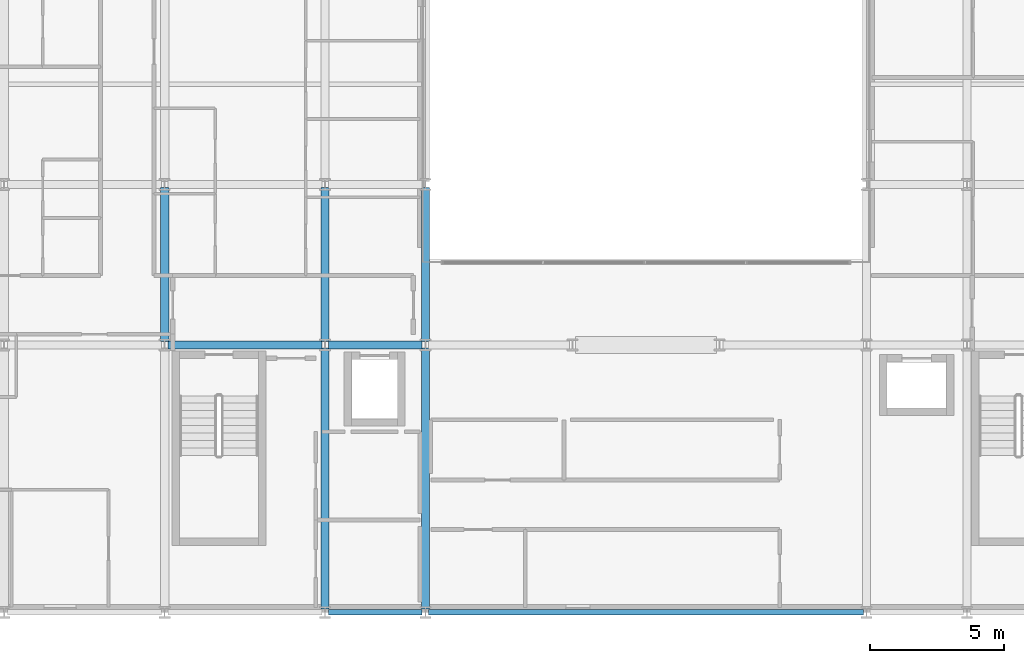
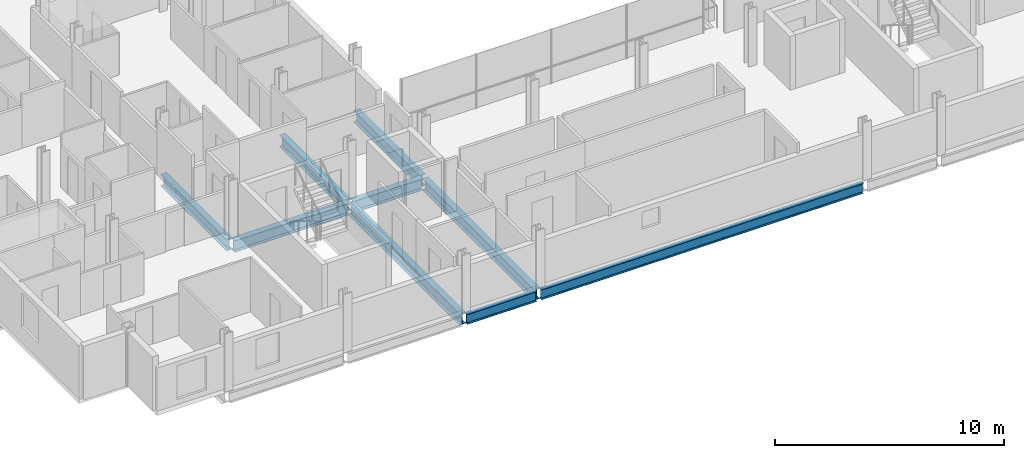
# One storey, part 3 of 38: 9 beams.
"""IFC4 building model written with IfcOpenShell, lengths in metres."""

from ifc_helpers import new_model, si_unit, direction, frame, origin, origin_2d, place, context, subcontext, project, spatial, i_section, extrude, material, material_profile, profile_set, type_object, element, save


model = new_model("IFC4")

# Units and contexts
model_context = context("Model", 3, precision=1e-05, world=origin(), true_north=direction((0.0, 1.0)))
body_context = subcontext(model_context, "Body", "Model", "MODEL_VIEW")
ifc_project = project(units=[si_unit("LENGTHUNIT", "METRE"), si_unit("AREAUNIT", "SQUARE_METRE"), si_unit("VOLUMEUNIT", "CUBIC_METRE"), si_unit("PLANEANGLEUNIT", "RADIAN"), si_unit("MASSUNIT", "GRAM", prefix="KILO")], contexts=[model_context])

# Site, building, storey
site_placement = place(None, origin())
site = spatial("IfcSite", under=ifc_project, at=site_placement, CompositionType="ELEMENT")
building_placement = place(site_placement, origin())
building = spatial("IfcBuilding", under=site, at=building_placement, Name="Brevholm Reach", CompositionType="ELEMENT")
storey_placement = place(building_placement, frame((0.0, 0.0, 65.199951171875)))
storey = spatial("IfcBuildingStorey", under=building, at=storey_placement, Name="L18", CompositionType="ELEMENT", Elevation=65.199951171875)

# Beams
ifc_material_1 = material(Name="Structural Steel S355J2", Category="steel")
ifc_material_profile_1 = material_profile(ifc_material_1, i_section(OverallWidth=0.210693359375, OverallDepth=0.53955078125, WebThickness=0.01171875, FlangeThickness=0.018798828125, FilletRadius=0.0126953125, at=origin_2d()), Name="UKB 533x210x109")
ifc_profile_set_1 = profile_set([ifc_material_profile_1], Name="Structural Steel S355J2")
beam_type_1 = type_object("IfcBeamType", Name="BM-SP539", PredefinedType="SPANDREL", material=ifc_profile_set_1)
beam_1_placement = place(storey_placement, frame((18.1201171875, 0.0, -0.499755859375), z_axis=(1.0, 0.0, 0.0), x_axis=(0.0, 1.0, 0.0)))
element("IfcBeam", 1, at=beam_1_placement, inside=storey, type_object=beam_type_1, Name="L18 SP-01B Framing Beam", PredefinedType="SPANDREL", context=body_context, shape_type="SweptSolid", body=[
    extrude(i_section(OverallWidth=0.210693359375, OverallDepth=0.53955078125, WebThickness=0.01171875, FlangeThickness=0.018798828125, FilletRadius=0.0126953125, at=origin_2d()), origin(), (0.0, 0.0, 1.0), 3.509765625),
])
beam_2_placement = place(storey_placement, frame((21.8701171875, 0.0, -0.499755859375), z_axis=(1.0, 0.0, 0.0), x_axis=(0.0, 1.0, 0.0)))
element("IfcBeam", 2, at=beam_2_placement, inside=storey, type_object=beam_type_1, Name="L18 SP-01B Framing Beam", PredefinedType="SPANDREL", context=body_context, shape_type="SweptSolid", body=[
    extrude(i_section(OverallWidth=0.210693359375, OverallDepth=0.53955078125, WebThickness=0.01171875, FlangeThickness=0.018798828125, FilletRadius=0.0126953125, at=origin_2d()), origin(), (0.0, 0.0, 1.0), 16.259765625),
])
ifc_material_2 = material(Name="Structural Steel S355J2", Category="steel")
ifc_material_profile_2 = material_profile(ifc_material_2, i_section(OverallWidth=0.30712890625, OverallDepth=0.6201171875, WebThickness=0.01416015625, FlangeThickness=0.023681640625, FilletRadius=0.0166015625, at=origin_2d()), Name="UKB 610x305x179")
ifc_profile_set_2 = profile_set([ifc_material_profile_2], Name="Structural Steel S355J2")
beam_type_2 = type_object("IfcBeamType", Name="BM-UKB610H", PredefinedType="USERDEFINED", material=ifc_profile_set_2)
beam_3_placement = place(storey_placement, frame((12.1201171875, 10.0, -0.5400390625), z_axis=(1.0, 0.0, 0.0), x_axis=(0.0, 1.0, 0.0)))
element("IfcBeam", 3, at=beam_3_placement, inside=storey, type_object=beam_type_2, Name="L18 G-06 Framing Beam", ObjectType="GIRDER", PredefinedType="USERDEFINED", context=body_context, shape_type="SweptSolid", body=[
    extrude(i_section(OverallWidth=0.30712890625, OverallDepth=0.6201171875, WebThickness=0.01416015625, FlangeThickness=0.023681640625, FilletRadius=0.0166015625, at=origin_2d()), origin(), (0.0, 0.0, 1.0), 5.759765625),
])
beam_4_placement = place(storey_placement, frame((18.1201171875, 10.0, -0.5400390625), z_axis=(1.0, 0.0, 0.0), x_axis=(0.0, 1.0, 0.0)))
element("IfcBeam", 4, at=beam_4_placement, inside=storey, type_object=beam_type_2, Name="L18 G-06 Framing Beam", ObjectType="GIRDER", PredefinedType="USERDEFINED", context=body_context, shape_type="SweptSolid", body=[
    extrude(i_section(OverallWidth=0.30712890625, OverallDepth=0.6201171875, WebThickness=0.01416015625, FlangeThickness=0.023681640625, FilletRadius=0.0166015625, at=origin_2d()), origin(), (0.0, 0.0, 1.0), 3.509765625),
])
beam_5_placement = place(storey_placement, frame((12.0, 10.1201171875, -0.5400390625), z_axis=(0.0, 1.0, 0.0), x_axis=(-1.0, 0.0, 0.0)))
element("IfcBeam", 5, at=beam_5_placement, inside=storey, type_object=beam_type_2, Name="L18 G-06 Framing Beam", ObjectType="GIRDER", PredefinedType="USERDEFINED", context=body_context, shape_type="SweptSolid", body=[
    extrude(i_section(OverallWidth=0.30712890625, OverallDepth=0.6201171875, WebThickness=0.01416015625, FlangeThickness=0.023681640625, FilletRadius=0.0166015625, at=origin_2d()), origin(), (0.0, 0.0, 1.0), 5.759765625),
])
beam_6_placement = place(storey_placement, frame((18.0, 0.1201171875, -0.5400390625), z_axis=(0.0, 1.0, 0.0), x_axis=(-1.0, 0.0, 0.0)))
element("IfcBeam", 6, at=beam_6_placement, inside=storey, type_object=beam_type_2, Name="L18 G-06 Framing Beam", ObjectType="GIRDER", PredefinedType="USERDEFINED", context=body_context, shape_type="SweptSolid", body=[
    extrude(i_section(OverallWidth=0.30712890625, OverallDepth=0.6201171875, WebThickness=0.01416015625, FlangeThickness=0.023681640625, FilletRadius=0.0166015625, at=origin_2d()), origin(), (0.0, 0.0, 1.0), 9.759765625),
])
beam_7_placement = place(storey_placement, frame((18.0, 10.1201171875, -0.5400390625), z_axis=(0.0, 1.0, 0.0), x_axis=(-1.0, 0.0, 0.0)))
element("IfcBeam", 7, at=beam_7_placement, inside=storey, type_object=beam_type_2, Name="L18 G-06 Framing Beam", ObjectType="GIRDER", PredefinedType="USERDEFINED", context=body_context, shape_type="SweptSolid", body=[
    extrude(i_section(OverallWidth=0.30712890625, OverallDepth=0.6201171875, WebThickness=0.01416015625, FlangeThickness=0.023681640625, FilletRadius=0.0166015625, at=origin_2d()), origin(), (0.0, 0.0, 1.0), 5.759765625),
])
beam_8_placement = place(storey_placement, frame((21.75, 0.1201171875, -0.5400390625), z_axis=(0.0, 1.0, 0.0), x_axis=(-1.0, 0.0, 0.0)))
element("IfcBeam", 8, at=beam_8_placement, inside=storey, type_object=beam_type_2, Name="L18 G-06 Framing Beam", ObjectType="GIRDER", PredefinedType="USERDEFINED", context=body_context, shape_type="SweptSolid", body=[
    extrude(i_section(OverallWidth=0.30712890625, OverallDepth=0.6201171875, WebThickness=0.01416015625, FlangeThickness=0.023681640625, FilletRadius=0.0166015625, at=origin_2d()), origin(), (0.0, 0.0, 1.0), 9.759765625),
])
beam_9_placement = place(storey_placement, frame((21.75, 10.1201171875, -0.5400390625), z_axis=(0.0, 1.0, 0.0), x_axis=(-1.0, 0.0, 0.0)))
element("IfcBeam", 9, at=beam_9_placement, inside=storey, type_object=beam_type_2, Name="L18 G-06 Framing Beam", ObjectType="GIRDER", PredefinedType="USERDEFINED", context=body_context, shape_type="SweptSolid", body=[
    extrude(i_section(OverallWidth=0.30712890625, OverallDepth=0.6201171875, WebThickness=0.01416015625, FlangeThickness=0.023681640625, FilletRadius=0.0166015625, at=origin_2d()), origin(), (0.0, 0.0, 1.0), 5.759765625),
])

save(model, "model.ifc")
